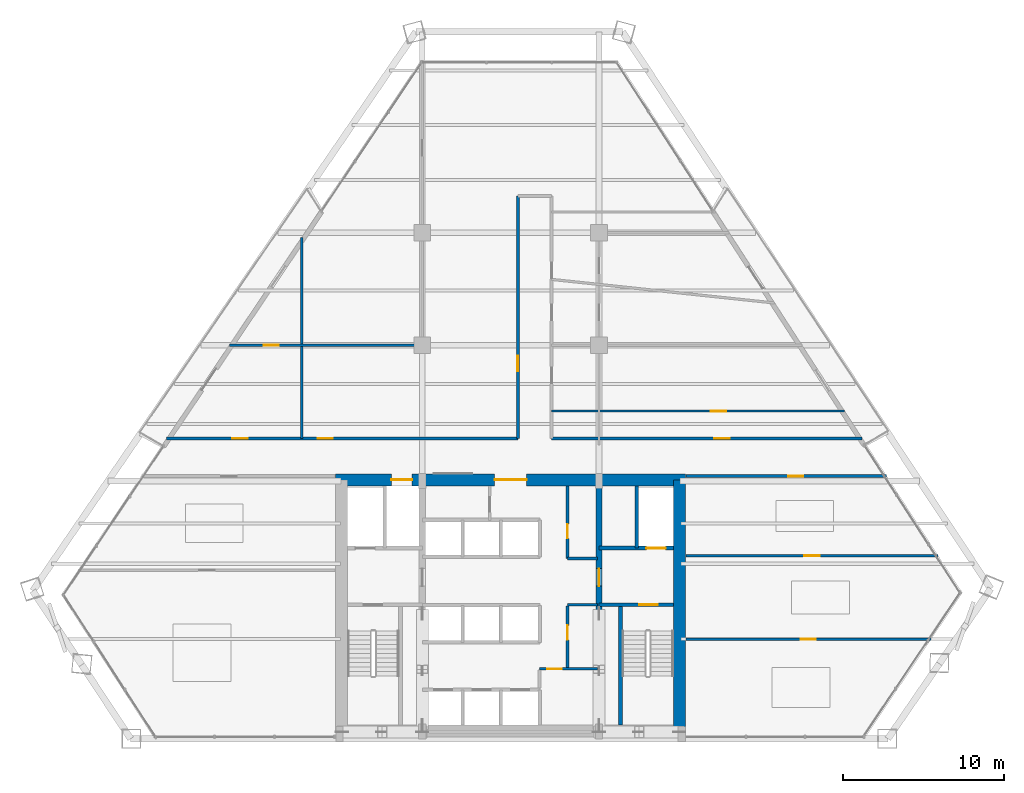
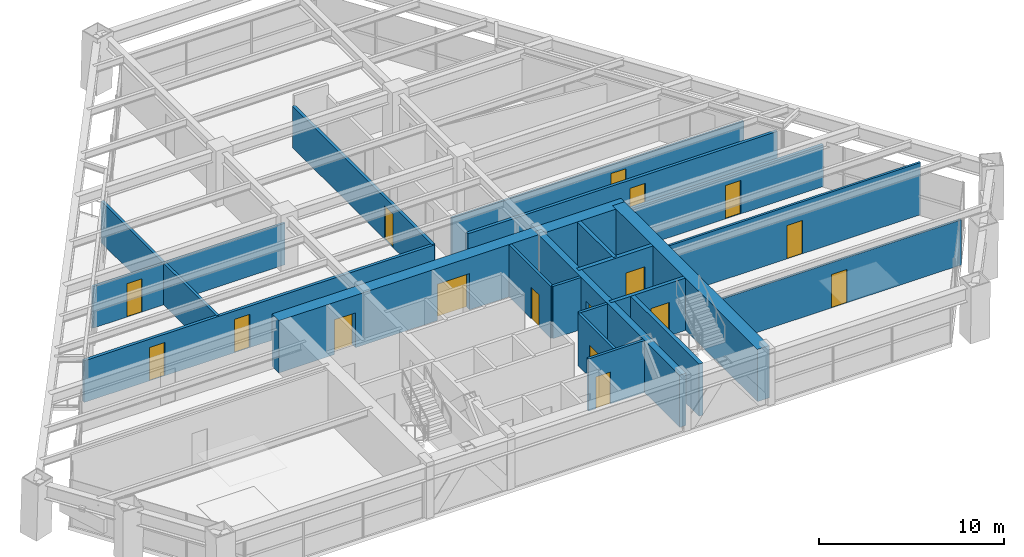
# One storey, part 11 of 14: 21 walls, 17 doors, 17 openings.
"""IFC4 building model written with IfcOpenShell, lengths in metres."""

from ifc_helpers import new_model, si_unit, direction, frame, frame_2d, origin, place, context, subcontext, project, spatial, rectangle, extrude, source, transform, mapped, material, layer, layer_set, type_object, type_shapes, element, fill, save


model = new_model("IFC4")

# Units and contexts
model_context = context("Model", 3, precision=1e-05, world=origin(), true_north=direction((0.0, 1.0)))
body_context = subcontext(model_context, "Body", "Model", "MODEL_VIEW")
ifc_project = project(units=[si_unit("LENGTHUNIT", "METRE"), si_unit("AREAUNIT", "SQUARE_METRE"), si_unit("VOLUMEUNIT", "CUBIC_METRE"), si_unit("PLANEANGLEUNIT", "RADIAN"), si_unit("MASSUNIT", "GRAM", prefix="KILO")], contexts=[model_context])

# Site, building, storey
site_placement = place(None, origin())
site = spatial("IfcSite", under=ifc_project, at=site_placement, CompositionType="ELEMENT")
building_placement = place(site_placement, origin())
building = spatial("IfcBuilding", under=site, at=building_placement, Name="Varnakhor Terracotta Tower", CompositionType="ELEMENT")
storey_placement = place(building_placement, frame((0.0, 0.0, 95.10009765625)))
storey = spatial("IfcBuildingStorey", under=building, at=storey_placement, Name="L23", CompositionType="ELEMENT", Elevation=95.10009765625)

# Wall, openings, doors
ifc_material_1 = material(Name="Concrete C60/75", Category="concrete")
ifc_layer_1 = layer(ifc_material_1, 0.75, Name="Concrete C60/75")
ifc_layer_set_1 = layer_set([ifc_layer_1], Name="Concrete C60/75")
wall_type_1 = type_object("IfcWallType", Name="WAL-CORE-750", PredefinedType="SHEAR", material=ifc_layer_set_1)
wall_1_placement = place(storey_placement, frame((-10.89990234375, 16.125, 0.0), z_axis=(0.0, 0.0, 1.0), x_axis=(1.0, 0.0, 0.0)))
wall_1 = element("IfcWall", 1, at=wall_1_placement, inside=storey, type_object=wall_type_1, Name="L23 North Core Shear Wall", PredefinedType="SHEAR", context=body_context, shape_type="SweptSolid", body=[
    extrude(rectangle(XDim=21.7998046875, YDim=0.75, at=frame_2d((10.89990234375, 0.0))), origin(), (0.0, 0.0, 1.0), 3.449951171875),
])
opening_1_placement = place(wall_1_placement, frame((3.469970703125, 0.0, 0.0)))
opening_1 = element("IfcOpeningElement", 2, at=opening_1_placement, cuts=wall_1, Name="Opening LD-03", PredefinedType="OPENING", context=body_context, shape_type="SweptSolid", body=[
    extrude(rectangle(XDim=1.300048828125, YDim=2.300048828125, at=frame_2d((0.64990234375, 1.14990234375))), frame((0.0, 0.385009765625, 0.0), z_axis=(0.0, -1.0, 0.0), x_axis=(1.0, 0.0, 0.0)), (0.0, 0.0, 1.0), 0.77001953125),
])
opening_2_placement = place(wall_1_placement, frame((9.89990234375, 0.0, 0.0)))
opening_2 = element("IfcOpeningElement", 3, at=opening_2_placement, cuts=wall_1, Name="Opening DR-32", PredefinedType="OPENING", context=body_context, shape_type="SweptSolid", body=[
    extrude(rectangle(XDim=2.0, YDim=2.39990234375, at=frame_2d((1.0, 1.199951171875))), frame((0.0, 0.385009765625, 0.0), z_axis=(0.0, -1.0, 0.0), x_axis=(1.0, 0.0, 0.0)), (0.0, 0.0, 1.0), 0.77001953125),
])
ifc_material_2 = material(Name="Heavy-Duty Goods Sliding Lift Landing Door", Category="steel")
door_type_1 = type_object("IfcDoorType", Name="LD-SRV-1300X2300", OperationType="NOTDEFINED", PredefinedType="DOOR", material=ifc_material_2)
shared_shape_1 = source(origin(), body_context, "Body", "SweptSolid", [
    extrude(rectangle(XDim=1.300048828125, YDim=2.300048828125, at=frame_2d((0.64990234375, 1.14990234375))), frame((0.0, 0.02490234375, 0.0), z_axis=(0.0, -1.0, 0.0), x_axis=(1.0, 0.0, 0.0)), (0.0, 0.0, 1.0), 0.050048828125),
])
type_shapes(door_type_1, [shared_shape_1])
door_1_placement = place(opening_1_placement, origin())
door_1 = element("IfcDoor", 4, at=door_1_placement, inside=storey, type_object=door_type_1, Name="L23 Service Lift SVL-1 Landing Door", OperationType="SLIDING_TO_RIGHT", OverallHeight=2.300048828125, OverallWidth=1.300048828125, PredefinedType="DOOR", context=body_context, shape_type="MappedRepresentation", body=[
    mapped(shared_shape_1, transform((0.0, 0.0, 0.0), scale=1.0)),
])
fill(opening_1, door_1)
ifc_material_3 = material(Name="Acoustic Double Assembly Fire Door", Category="wood")
door_type_2 = type_object("IfcDoorType", Name="DR-HALL-2000X2400", OperationType="NOTDEFINED", PredefinedType="DOOR", material=ifc_material_3)
shared_shape_2 = source(origin(), body_context, "Body", "SweptSolid", [
    extrude(rectangle(XDim=2.0, YDim=2.39990234375, at=frame_2d((1.0, 1.199951171875))), frame((0.0, 0.02490234375, 0.0), z_axis=(0.0, -1.0, 0.0), x_axis=(1.0, 0.0, 0.0)), (0.0, 0.0, 1.0), 0.050048828125),
])
type_shapes(door_type_2, [shared_shape_2])
door_2_placement = place(opening_2_placement, origin())
door_2 = element("IfcDoor", 5, at=door_2_placement, inside=storey, type_object=door_type_2, Name="L23 Core Main Lobby Double Door", OperationType="DOUBLE_DOOR_SINGLE_SWING", OverallHeight=2.39990234375, OverallWidth=2.0, PredefinedType="DOOR", context=body_context, shape_type="MappedRepresentation", body=[
    mapped(shared_shape_2, transform((0.0, 0.0, 0.0), scale=1.0)),
])
fill(opening_2, door_2)

# Wall
wall_2_placement = place(storey_placement, frame((10.52490234375, 0.47509765625, 0.0), z_axis=(0.0, 0.0, 1.0), x_axis=(0.0, 1.0, 0.0)))
element("IfcWall", 6, at=wall_2_placement, inside=storey, type_object=wall_type_1, Name="L23 East Core Shear Wall", PredefinedType="SHEAR", context=body_context, shape_type="SweptSolid", body=[
    extrude(rectangle(XDim=15.64990234375, YDim=0.75, at=frame_2d((7.824951171875, 0.0))), origin(), (0.0, 0.0, 1.0), 3.449951171875),
])

# Wall, opening, door
ifc_material_4 = material(Name="Concrete C50/60", Category="concrete")
ifc_layer_2 = layer(ifc_material_4, 0.39990234375, Name="Concrete C50/60")
ifc_layer_set_2 = layer_set([ifc_layer_2], Name="Concrete C50/60")
wall_type_2 = type_object("IfcWallType", Name="WAL-CORE-WEB-400", PredefinedType="SHEAR", material=ifc_layer_set_2)
wall_3_placement = place(storey_placement, frame((5.5, 0.47509765625, 0.0), z_axis=(0.0, 0.0, 1.0), x_axis=(0.0, 1.0, 0.0)))
wall_3 = element("IfcWall", 7, at=wall_3_placement, inside=storey, type_object=wall_type_2, Name="L23 East Core Web Shear Wall", PredefinedType="SHEAR", context=body_context, shape_type="SweptSolid", body=[
    extrude(rectangle(XDim=15.64990234375, YDim=0.39990234375, at=frame_2d((7.824951171875, 0.0))), origin(), (0.0, 0.0, 1.0), 3.449951171875),
])
opening_3_placement = place(wall_3_placement, frame((9.02490234375, 0.0, 0.0)))
opening_3 = element("IfcOpeningElement", 8, at=opening_3_placement, cuts=wall_3, Name="Opening DR-25", PredefinedType="OPENING", context=body_context, shape_type="SweptSolid", body=[
    extrude(rectangle(XDim=1.10009765625, YDim=2.199951171875, at=frame_2d((0.550048828125, 1.10009765625))), frame((0.0, 0.2099609375, 0.0), z_axis=(0.0, -1.0, 0.0), x_axis=(1.0, 0.0, 0.0)), (0.0, 0.0, 1.0), 0.419921875),
])
ifc_material_5 = material(Name="Firefighting Lobby Self-Closing Fire Door", Category="steel")
door_type_3 = type_object("IfcDoorType", Name="DR-FFL-1100X2200", OperationType="NOTDEFINED", PredefinedType="DOOR", material=ifc_material_5)
shared_shape_3 = source(origin(), body_context, "Body", "SweptSolid", [
    extrude(rectangle(XDim=1.10009765625, YDim=2.199951171875, at=frame_2d((0.550048828125, 1.10009765625))), frame((0.0, 0.02490234375, 0.0), z_axis=(0.0, -1.0, 0.0), x_axis=(1.0, 0.0, 0.0)), (0.0, 0.0, 1.0), 0.050048828125),
])
type_shapes(door_type_3, [shared_shape_3])
door_3_placement = place(opening_3_placement, origin())
door_3 = element("IfcDoor", 9, at=door_3_placement, inside=storey, type_object=door_type_3, Name="L23 East Firefighting Lobby Door", OperationType="SINGLE_SWING_LEFT", OverallHeight=2.199951171875, OverallWidth=1.10009765625, PredefinedType="DOOR", context=body_context, shape_type="MappedRepresentation", body=[
    mapped(shared_shape_3, transform((0.0, 0.0, 0.0), scale=1.0)),
])
fill(opening_3, door_3)

ifc_material_6 = material(Name="Fire-Rated Gypsum Stud Partition", Category="gypsum")
ifc_layer_3 = layer(ifc_material_6, 0.18505859375, Name="Fire-Rated Gypsum Stud Partition")
ifc_layer_set_3 = layer_set([ifc_layer_3], Name="Fire-Rated Gypsum Stud Partition")
wall_type_3 = type_object("IfcWallType", Name="WAL-CORR-185", PredefinedType="PARTITIONING", material=ifc_layer_set_3)
wall_4_placement = place(storey_placement, frame((10.919921875, 16.35009765625, 0.0), z_axis=(0.0, 0.0, 1.0), x_axis=(1.0, 0.0, 0.0)))
wall_4 = element("IfcWall", 10, at=wall_4_placement, inside=storey, type_object=wall_type_3, Name="L23 South East Corridor Wall", PredefinedType="PARTITIONING", context=body_context, shape_type="SweptSolid", body=[
    extrude(rectangle(XDim=12.4853515625, YDim=0.18505859375, at=frame_2d((6.24267578125, 0.0))), origin(), (0.0, 0.0, 1.0), 2.746826171875),
])
opening_4_placement = place(wall_4_placement, frame((6.35791015625, 0.0, 0.0)))
opening_4 = element("IfcOpeningElement", 11, at=opening_4_placement, cuts=wall_4, Name="Opening DR-94", PredefinedType="OPENING", context=body_context, shape_type="SweptSolid", body=[
    extrude(rectangle(XDim=0.949951171875, YDim=2.199951171875, at=frame_2d((0.47509765625, 1.10009765625))), frame((0.0, 0.1025390625, 0.0), z_axis=(0.0, -1.0, 0.0), x_axis=(1.0, 0.0, 0.0)), (0.0, 0.0, 1.0), 0.205078125),
])
ifc_material_7 = material(Name="Acoustic Glazed-Vision Timber Office Door", Category="wood")
door_type_4 = type_object("IfcDoorType", Name="DR-OFF-950X2200", OperationType="NOTDEFINED", PredefinedType="DOOR", material=ifc_material_7)
shared_shape_4 = source(origin(), body_context, "Body", "SweptSolid", [
    extrude(rectangle(XDim=0.949951171875, YDim=2.199951171875, at=frame_2d((0.47509765625, 1.10009765625))), frame((0.0, 0.02490234375, 0.0), z_axis=(0.0, -1.0, 0.0), x_axis=(1.0, 0.0, 0.0)), (0.0, 0.0, 1.0), 0.050048828125),
])
type_shapes(door_type_4, [shared_shape_4])
door_4_placement = place(opening_4_placement, origin())
door_4 = element("IfcDoor", 12, at=door_4_placement, inside=storey, type_object=door_type_4, Name="L23 SE Suite Door", OperationType="SINGLE_SWING_LEFT", OverallHeight=2.199951171875, OverallWidth=0.949951171875, PredefinedType="DOOR", context=body_context, shape_type="MappedRepresentation", body=[
    mapped(shared_shape_4, transform((0.0, 0.0, 0.0), scale=1.0)),
])
fill(opening_4, door_4)

# Wall, openings, doors
wall_5_placement = place(storey_placement, frame((-21.412109375, 18.699951171875, 0.0), z_axis=(0.0, 0.0, 1.0), x_axis=(1.0, 0.0, 0.0)))
wall_5 = element("IfcWall", 13, at=wall_5_placement, inside=storey, type_object=wall_type_3, Name="L23 Corridor North West Wall", PredefinedType="PARTITIONING", context=body_context, shape_type="SweptSolid", body=[
    extrude(rectangle(XDim=21.862060546875, YDim=0.18505859375, at=frame_2d((10.93115234375, 0.0))), origin(), (0.0, 0.0, 1.0), 2.746826171875),
])
opening_5_placement = place(wall_5_placement, frame((9.39697265625, 0.0, 0.0)))
opening_5 = element("IfcOpeningElement", 14, at=opening_5_placement, cuts=wall_5, Name="Opening DR-94", PredefinedType="OPENING", context=body_context, shape_type="SweptSolid", body=[
    extrude(rectangle(XDim=0.949951171875, YDim=2.199951171875, at=frame_2d((0.47509765625, 1.10009765625))), frame((0.0, 0.1025390625, 0.0), z_axis=(0.0, -1.0, 0.0), x_axis=(1.0, 0.0, 0.0)), (0.0, 0.0, 1.0), 0.205078125),
])
opening_6_placement = place(wall_5_placement, frame((4.08740234375, 0.0, 0.0)))
opening_6 = element("IfcOpeningElement", 15, at=opening_6_placement, cuts=wall_5, Name="Opening DR-94", PredefinedType="OPENING", context=body_context, shape_type="SweptSolid", body=[
    extrude(rectangle(XDim=0.949951171875, YDim=2.199951171875, at=frame_2d((0.47509765625, 1.10009765625))), frame((0.0, 0.1025390625, 0.0), z_axis=(0.0, -1.0, 0.0), x_axis=(1.0, 0.0, 0.0)), (0.0, 0.0, 1.0), 0.205078125),
])
door_5_placement = place(opening_5_placement, origin())
door_5 = element("IfcDoor", 16, at=door_5_placement, inside=storey, type_object=door_type_4, Name="L23 West Workplace Door", OperationType="SINGLE_SWING_RIGHT", OverallHeight=2.199951171875, OverallWidth=0.949951171875, PredefinedType="DOOR", context=body_context, shape_type="MappedRepresentation", body=[
    mapped(shared_shape_4, transform((0.0, 0.0, 0.0), scale=1.0)),
])
fill(opening_5, door_5)
door_6_placement = place(opening_6_placement, origin())
door_6 = element("IfcDoor", 17, at=door_6_placement, inside=storey, type_object=door_type_4, Name="L23 Corporate Anchor Suite West Door", OperationType="SINGLE_SWING_RIGHT", OverallHeight=2.199951171875, OverallWidth=0.949951171875, PredefinedType="DOOR", context=body_context, shape_type="MappedRepresentation", body=[
    mapped(shared_shape_4, transform((0.0, 0.0, 0.0), scale=1.0)),
])
fill(opening_6, door_6)

# Wall, opening, door
wall_6_placement = place(storey_placement, frame((2.550048828125, 18.699951171875, 0.0), z_axis=(0.0, 0.0, 1.0), x_axis=(1.0, 0.0, 0.0)))
wall_6 = element("IfcWall", 18, at=wall_6_placement, inside=storey, type_object=wall_type_3, Name="L23 Corridor North East Wall", PredefinedType="PARTITIONING", context=body_context, shape_type="SweptSolid", body=[
    extrude(rectangle(XDim=19.334228515625, YDim=0.18505859375, at=frame_2d((9.6669921875, 0.0))), origin(), (0.0, 0.0, 1.0), 2.746826171875),
])
opening_7_placement = place(wall_6_placement, frame((10.124755859375, 0.0, 0.0)))
opening_7 = element("IfcOpeningElement", 19, at=opening_7_placement, cuts=wall_6, Name="Opening DR-94", PredefinedType="OPENING", context=body_context, shape_type="SweptSolid", body=[
    extrude(rectangle(XDim=0.949951171875, YDim=2.199951171875, at=frame_2d((0.47509765625, 1.10009765625))), frame((0.0, 0.1025390625, 0.0), z_axis=(0.0, -1.0, 0.0), x_axis=(1.0, 0.0, 0.0)), (0.0, 0.0, 1.0), 0.205078125),
])
door_7_placement = place(opening_7_placement, origin())
door_7 = element("IfcDoor", 20, at=door_7_placement, inside=storey, type_object=door_type_4, Name="L23 East Workplace Door", OperationType="SINGLE_SWING_LEFT", OverallHeight=2.199951171875, OverallWidth=0.949951171875, PredefinedType="DOOR", context=body_context, shape_type="MappedRepresentation", body=[
    mapped(shared_shape_4, transform((0.0, 0.0, 0.0), scale=1.0)),
])
fill(opening_7, door_7)

wall_7_placement = place(storey_placement, frame((0.449951171875, 18.699951171875, 0.0), z_axis=(0.0, 0.0, 1.0), x_axis=(0.0, 1.0, 0.0)))
wall_7 = element("IfcWall", 21, at=wall_7_placement, inside=storey, type_object=wall_type_3, Name="L23 Spine West Wall", PredefinedType="PARTITIONING", context=body_context, shape_type="SweptSolid", body=[
    extrude(rectangle(XDim=15.10009765625, YDim=0.18505859375, at=frame_2d((7.550048828125, 0.0))), origin(), (0.0, 0.0, 1.0), 2.746826171875),
])
opening_8_placement = place(wall_7_placement, frame((4.19091796875, 0.0, 0.0)))
opening_8 = element("IfcOpeningElement", 22, at=opening_8_placement, cuts=wall_7, Name="Opening DR-94", PredefinedType="OPENING", context=body_context, shape_type="SweptSolid", body=[
    extrude(rectangle(XDim=0.949951171875, YDim=2.199951171875, at=frame_2d((0.47509765625, 1.10009765625))), frame((0.0, 0.1025390625, 0.0), z_axis=(0.0, -1.0, 0.0), x_axis=(1.0, 0.0, 0.0)), (0.0, 0.0, 1.0), 0.205078125),
])
door_8_placement = place(opening_8_placement, origin())
door_8 = element("IfcDoor", 23, at=door_8_placement, inside=storey, type_object=door_type_4, Name="L23 Spine West Door", OperationType="SINGLE_SWING_RIGHT", OverallHeight=2.199951171875, OverallWidth=0.949951171875, PredefinedType="DOOR", context=body_context, shape_type="MappedRepresentation", body=[
    mapped(shared_shape_4, transform((0.0, 0.0, 0.0), scale=1.0)),
])
fill(opening_8, door_8)

ifc_material_8 = material(Name="Concrete C40/50", Category="concrete")
ifc_layer_4 = layer(ifc_material_8, 0.219970703125, Name="Concrete C40/50")
ifc_layer_set_4 = layer_set([ifc_layer_4], Name="Concrete C40/50")
wall_type_4 = type_object("IfcWallType", Name="WAL-FFLOBBY-220", PredefinedType="SOLIDWALL", material=ifc_layer_set_4)
wall_8_placement = place(storey_placement, frame((10.14990234375, 8.35009765625, 0.0), z_axis=(0.0, 0.0, 1.0), x_axis=(-1.0, 0.0, 0.0)))
wall_8 = element("IfcWall", 24, at=wall_8_placement, inside=storey, type_object=wall_type_4, Name="L23 East Firefighting Lobby Stair Wall", PredefinedType="SOLIDWALL", context=body_context, shape_type="SweptSolid", body=[
    extrude(rectangle(XDim=4.64990234375, YDim=0.219970703125, at=frame_2d((2.324951171875, 0.0))), origin(), (0.0, 0.0, 1.0), 3.449951171875),
])
opening_9_placement = place(wall_8_placement, frame((1.0, 0.0, 0.0)))
opening_9 = element("IfcOpeningElement", 25, at=opening_9_placement, cuts=wall_8, Name="Opening DR-34", PredefinedType="OPENING", context=body_context, shape_type="SweptSolid", body=[
    extrude(rectangle(XDim=1.14990234375, YDim=2.199951171875, at=frame_2d((0.574951171875, 1.10009765625))), frame((0.0, 0.1201171875, 0.0), z_axis=(0.0, -1.0, 0.0), x_axis=(1.0, 0.0, 0.0)), (0.0, 0.0, 1.0), 0.239990234375),
])
ifc_material_9 = material(Name="Self-Closing Smoke-Sealed Steel Fire Door", Category="steel")
door_type_5 = type_object("IfcDoorType", Name="DR-STAIR-1150X2200", OperationType="NOTDEFINED", PredefinedType="DOOR", material=ifc_material_9)
shared_shape_5 = source(origin(), body_context, "Body", "SweptSolid", [
    extrude(rectangle(XDim=1.14990234375, YDim=2.199951171875, at=frame_2d((0.574951171875, 1.10009765625))), frame((0.0, 0.02490234375, 0.0), z_axis=(0.0, -1.0, 0.0), x_axis=(1.0, 0.0, 0.0)), (0.0, 0.0, 1.0), 0.050048828125),
])
type_shapes(door_type_5, [shared_shape_5])
door_9_placement = place(opening_9_placement, origin())
door_9 = element("IfcDoor", 26, at=door_9_placement, inside=storey, type_object=door_type_5, Name="L23 Exit Stair ST-2 Fire Door", OperationType="SINGLE_SWING_RIGHT", OverallHeight=2.199951171875, OverallWidth=1.14990234375, PredefinedType="DOOR", context=body_context, shape_type="MappedRepresentation", body=[
    mapped(shared_shape_5, transform((0.0, 0.0, 0.0), scale=1.0)),
])
fill(opening_9, door_9)

ifc_material_10 = material(Name="Acoustic Metal-Stud Partition", Category="gypsum")
ifc_layer_5 = layer(ifc_material_10, 0.139892578125, Name="Acoustic Metal-Stud Partition")
ifc_layer_set_5 = layer_set([ifc_layer_5], Name="Acoustic Metal-Stud Partition")
wall_type_5 = type_object("IfcWallType", Name="WAL-PART-140", PredefinedType="PARTITIONING", material=ifc_layer_set_5)
wall_9_placement = place(storey_placement, frame((-17.51171875, 24.5, 0.0), z_axis=(0.0, 0.0, 1.0), x_axis=(1.0, 0.0, 0.0)))
wall_9 = element("IfcWall", 27, at=wall_9_placement, inside=storey, type_object=wall_type_5, Name="L23 Mid West Column Wall", PredefinedType="PARTITIONING", context=body_context, shape_type="SweptSolid", body=[
    extrude(rectangle(XDim=12.01171875, YDim=0.139892578125, at=frame_2d((6.005859375, 0.0))), origin(), (0.0, 0.0, 1.0), 2.746826171875),
])
opening_10_placement = place(wall_9_placement, frame((2.12890625, 0.0, 0.0)))
opening_10 = element("IfcOpeningElement", 28, at=opening_10_placement, cuts=wall_9, Name="Opening DR-94", PredefinedType="OPENING", context=body_context, shape_type="SweptSolid", body=[
    extrude(rectangle(XDim=0.949951171875, YDim=2.199951171875, at=frame_2d((0.47509765625, 1.10009765625))), frame((0.0, 0.080078125, 0.0), z_axis=(0.0, -1.0, 0.0), x_axis=(1.0, 0.0, 0.0)), (0.0, 0.0, 1.0), 0.159912109375),
])
door_10_placement = place(opening_10_placement, origin())
door_10 = element("IfcDoor", 29, at=door_10_placement, inside=storey, type_object=door_type_4, Name="L23 Advisory Office E3 Door", OperationType="SINGLE_SWING_RIGHT", OverallHeight=2.199951171875, OverallWidth=0.949951171875, PredefinedType="DOOR", context=body_context, shape_type="MappedRepresentation", body=[
    mapped(shared_shape_4, transform((0.0, 0.0, 0.0), scale=1.0)),
])
fill(opening_10, door_10)

wall_10_placement = place(storey_placement, frame((2.550048828125, 20.39990234375, 0.0), z_axis=(0.0, 0.0, 1.0), x_axis=(1.0, 0.0, 0.0)))
wall_10 = element("IfcWall", 30, at=wall_10_placement, inside=storey, type_object=wall_type_5, Name="L23 East Wing Cut 1", PredefinedType="PARTITIONING", context=body_context, shape_type="SweptSolid", body=[
    extrude(rectangle(XDim=18.233642578125, YDim=0.139892578125, at=frame_2d((9.11669921875, 0.0))), origin(), (0.0, 0.0, 1.0), 2.746826171875),
])
opening_11_placement = place(wall_10_placement, frame((9.919921875, 0.0, 0.0)))
opening_11 = element("IfcOpeningElement", 31, at=opening_11_placement, cuts=wall_10, Name="Opening DR-94", PredefinedType="OPENING", context=body_context, shape_type="SweptSolid", body=[
    extrude(rectangle(XDim=0.949951171875, YDim=2.199951171875, at=frame_2d((0.47509765625, 1.10009765625))), frame((0.0, 0.080078125, 0.0), z_axis=(0.0, -1.0, 0.0), x_axis=(1.0, 0.0, 0.0)), (0.0, 0.0, 1.0), 0.159912109375),
])
door_11_placement = place(opening_11_placement, origin())
door_11 = element("IfcDoor", 32, at=door_11_placement, inside=storey, type_object=door_type_4, Name="L23 Advisory Office E1 B9 Door", OperationType="SINGLE_SWING_LEFT", OverallHeight=2.199951171875, OverallWidth=0.949951171875, PredefinedType="DOOR", context=body_context, shape_type="MappedRepresentation", body=[
    mapped(shared_shape_4, transform((0.0, 0.0, 0.0), scale=1.0)),
])
fill(opening_11, door_11)

wall_11_placement = place(storey_placement, frame((10.919921875, 6.199951171875, 0.0), z_axis=(0.0, 0.0, 1.0), x_axis=(1.0, 0.0, 0.0)))
wall_11 = element("IfcWall", 33, at=wall_11_placement, inside=storey, type_object=wall_type_5, Name="L23 South East Cut 1", PredefinedType="PARTITIONING", context=body_context, shape_type="SweptSolid", body=[
    extrude(rectangle(XDim=15.25048828125, YDim=0.139892578125, at=frame_2d((7.625244140625, 0.0))), origin(), (0.0, 0.0, 1.0), 2.97900390625),
])
opening_12_placement = place(wall_11_placement, frame((7.13818359375, 0.0, 0.0)))
opening_12 = element("IfcOpeningElement", 34, at=opening_12_placement, cuts=wall_11, Name="Opening DR-94", PredefinedType="OPENING", context=body_context, shape_type="SweptSolid", body=[
    extrude(rectangle(XDim=0.949951171875, YDim=2.199951171875, at=frame_2d((0.47509765625, 1.10009765625))), frame((0.0, 0.080078125, 0.0), z_axis=(0.0, -1.0, 0.0), x_axis=(1.0, 0.0, 0.0)), (0.0, 0.0, 1.0), 0.159912109375),
])
door_12_placement = place(opening_12_placement, origin())
door_12 = element("IfcDoor", 35, at=door_12_placement, inside=storey, type_object=door_type_4, Name="L23 South East Conference Room Door", OperationType="SINGLE_SWING_RIGHT", OverallHeight=2.199951171875, OverallWidth=0.949951171875, PredefinedType="DOOR", context=body_context, shape_type="MappedRepresentation", body=[
    mapped(shared_shape_4, transform((0.0, 0.0, 0.0), scale=1.0)),
])
fill(opening_12, door_12)

wall_12_placement = place(storey_placement, frame((10.919921875, 11.39990234375, 0.0), z_axis=(0.0, 0.0, 1.0), x_axis=(1.0, 0.0, 0.0)))
wall_12 = element("IfcWall", 36, at=wall_12_placement, inside=storey, type_object=wall_type_5, Name="L23 South East Cut 2", PredefinedType="PARTITIONING", context=body_context, shape_type="SweptSolid", body=[
    extrude(rectangle(XDim=15.689453125, YDim=0.139892578125, at=frame_2d((7.8447265625, 0.0))), origin(), (0.0, 0.0, 1.0), 3.44189453125),
])
opening_13_placement = place(wall_12_placement, frame((7.360595703125, 0.0, 0.0)))
opening_13 = element("IfcOpeningElement", 37, at=opening_13_placement, cuts=wall_12, Name="Opening DR-94", PredefinedType="OPENING", context=body_context, shape_type="SweptSolid", body=[
    extrude(rectangle(XDim=0.949951171875, YDim=2.199951171875, at=frame_2d((0.47509765625, 1.10009765625))), frame((0.0, 0.080078125, 0.0), z_axis=(0.0, -1.0, 0.0), x_axis=(1.0, 0.0, 0.0)), (0.0, 0.0, 1.0), 0.159912109375),
])
door_13_placement = place(opening_13_placement, origin())
door_13 = element("IfcDoor", 38, at=door_13_placement, inside=storey, type_object=door_type_4, Name="L23 Advisory Office E3 B3 Door", OperationType="SINGLE_SWING_LEFT", OverallHeight=2.199951171875, OverallWidth=0.949951171875, PredefinedType="DOOR", context=body_context, shape_type="MappedRepresentation", body=[
    mapped(shared_shape_4, transform((0.0, 0.0, 0.0), scale=1.0)),
])
fill(opening_13, door_13)

# Walls
ifc_layer_6 = layer(ifc_material_8, 0.219970703125, Name="Concrete C40/50")
ifc_layer_set_6 = layer_set([ifc_layer_6], Name="Concrete C40/50")
wall_type_6 = type_object("IfcWallType", Name="WAL-SHAFT-220", PredefinedType="SOLIDWALL", material=ifc_layer_set_6)
wall_13_placement = place(storey_placement, frame((7.840087890625, 11.8701171875, 0.0), z_axis=(0.0, 0.0, 1.0), x_axis=(0.0, 1.0, 0.0)))
element("IfcWall", 39, at=wall_13_placement, inside=storey, type_object=wall_type_6, Name="L23 Lift FFL-2 and Riser Divider Wall", PredefinedType="SOLIDWALL", context=body_context, shape_type="SweptSolid", body=[
    extrude(rectangle(XDim=3.8798828125, YDim=0.219970703125, at=frame_2d((1.93994140625, 0.0))), origin(), (0.0, 0.0, 1.0), 3.449951171875),
])
ifc_layer_7 = layer(ifc_material_8, 0.25, Name="Concrete C40/50")
ifc_layer_set_7 = layer_set([ifc_layer_7], Name="Concrete C40/50")
wall_type_7 = type_object("IfcWallType", Name="WAL-SHAFT-250", PredefinedType="SOLIDWALL", material=ifc_layer_set_7)
wall_14_placement = place(storey_placement, frame((6.85009765625, 0.85009765625, 0.0), z_axis=(0.0, 0.0, 1.0), x_axis=(0.0, 1.0, 0.0)))
element("IfcWall", 40, at=wall_14_placement, inside=storey, type_object=wall_type_7, Name="L23 Stair ST-2 Bearing Shaft Wall", PredefinedType="SOLIDWALL", context=body_context, shape_type="SweptSolid", body=[
    extrude(rectangle(XDim=7.5, YDim=0.25, at=frame_2d((3.75, 0.0))), origin(), (0.0, 0.0, 1.0), 3.449951171875),
])

# Wall, opening, door
wall_15_placement = place(storey_placement, frame((10.14990234375, 11.8701171875, 0.0), z_axis=(0.0, 0.0, 1.0), x_axis=(-1.0, 0.0, 0.0)))
wall_15 = element("IfcWall", 41, at=wall_15_placement, inside=storey, type_object=wall_type_7, Name="L23 Lift FFL-2 Shaft Front Wall", PredefinedType="SOLIDWALL", context=body_context, shape_type="SweptSolid", body=[
    extrude(rectangle(XDim=4.64990234375, YDim=0.25, at=frame_2d((2.324951171875, 0.0))), origin(), (0.0, 0.0, 1.0), 3.449951171875),
])
opening_14_placement = place(wall_15_placement, frame((0.5, 0.0, 0.0)))
opening_14 = element("IfcOpeningElement", 42, at=opening_14_placement, cuts=wall_15, Name="Opening LD-02", PredefinedType="OPENING", context=body_context, shape_type="SweptSolid", body=[
    extrude(rectangle(XDim=1.199951171875, YDim=2.25, at=frame_2d((0.60009765625, 1.125))), frame((0.0, 0.135009765625, 0.0), z_axis=(0.0, -1.0, 0.0), x_axis=(1.0, 0.0, 0.0)), (0.0, 0.0, 1.0), 0.27001953125),
])
ifc_material_11 = material(Name="Firefighting Stretcher Sliding Lift Landing Door", Category="steel")
door_type_6 = type_object("IfcDoorType", Name="LD-FFL-1200X2250", OperationType="NOTDEFINED", PredefinedType="DOOR", material=ifc_material_11)
shared_shape_6 = source(origin(), body_context, "Body", "SweptSolid", [
    extrude(rectangle(XDim=1.199951171875, YDim=2.25, at=frame_2d((0.60009765625, 1.125))), frame((0.0, 0.02490234375, 0.0), z_axis=(0.0, -1.0, 0.0), x_axis=(1.0, 0.0, 0.0)), (0.0, 0.0, 1.0), 0.050048828125),
])
type_shapes(door_type_6, [shared_shape_6])
door_14_placement = place(opening_14_placement, origin())
door_14 = element("IfcDoor", 43, at=door_14_placement, inside=storey, type_object=door_type_6, Name="L23 Firefighting Lift FFL-2 Landing Door", OperationType="SLIDING_TO_RIGHT", OverallHeight=2.25, OverallWidth=1.199951171875, PredefinedType="DOOR", context=body_context, shape_type="MappedRepresentation", body=[
    mapped(shared_shape_6, transform((0.0, 0.0, 0.0), scale=1.0)),
])
fill(opening_14, door_14)

ifc_material_12 = material(Name="Acoustic Fire-Rated Partition", Category="gypsum")
ifc_layer_8 = layer(ifc_material_12, 0.1650390625, Name="Acoustic Fire-Rated Partition")
ifc_layer_set_8 = layer_set([ifc_layer_8], Name="Acoustic Fire-Rated Partition")
wall_type_8 = type_object("IfcWallType", Name="WAL-TENANCY-165", PredefinedType="PARTITIONING", material=ifc_layer_set_8)
wall_16_placement = place(storey_placement, frame((3.5400390625, 4.4326171875, 0.0), z_axis=(0.0, 0.0, 1.0), x_axis=(0.0, 1.0, 0.0)))
wall_16 = element("IfcWall", 44, at=wall_16_placement, inside=storey, type_object=wall_type_8, Name="L23 Core Service Rated Wall", PredefinedType="PARTITIONING", context=body_context, shape_type="SweptSolid", body=[
    extrude(rectangle(XDim=3.824951171875, YDim=0.1650390625, at=frame_2d((1.91259765625, 0.0))), origin(), (0.0, 0.0, 1.0), 3.44189453125),
])
opening_15_placement = place(wall_16_placement, frame((1.72119140625, 0.0, 0.0)))
opening_15 = element("IfcOpeningElement", 45, at=opening_15_placement, cuts=wall_16, Name="Opening DR-67", PredefinedType="OPENING", context=body_context, shape_type="SweptSolid", body=[
    extrude(rectangle(XDim=0.89990234375, YDim=2.10009765625, at=frame_2d((0.449951171875, 1.050048828125))), frame((0.0, 0.092529296875, 0.0), z_axis=(0.0, -1.0, 0.0), x_axis=(1.0, 0.0, 0.0)), (0.0, 0.0, 1.0), 0.18505859375),
])
ifc_material_13 = material(Name="Steel Service Riser Fire Door", Category="steel")
door_type_7 = type_object("IfcDoorType", Name="DR-RISER-900X2100", OperationType="NOTDEFINED", PredefinedType="DOOR", material=ifc_material_13)
shared_shape_7 = source(origin(), body_context, "Body", "SweptSolid", [
    extrude(rectangle(XDim=0.89990234375, YDim=2.10009765625, at=frame_2d((0.449951171875, 1.050048828125))), frame((0.0, 0.02490234375, 0.0), z_axis=(0.0, -1.0, 0.0), x_axis=(1.0, 0.0, 0.0)), (0.0, 0.0, 1.0), 0.050048828125),
])
type_shapes(door_type_7, [shared_shape_7])
door_15_placement = place(opening_15_placement, origin())
door_15 = element("IfcDoor", 46, at=door_15_placement, inside=storey, type_object=door_type_7, Name="L23 Core Accessible WC Door", OperationType="SINGLE_SWING_LEFT", OverallHeight=2.10009765625, OverallWidth=0.89990234375, PredefinedType="DOOR", context=body_context, shape_type="MappedRepresentation", body=[
    mapped(shared_shape_7, transform((0.0, 0.0, 0.0), scale=1.0)),
])
fill(opening_15, door_15)

# Wall
wall_17_placement = place(storey_placement, frame((3.5400390625, 8.340087890625, 0.0), z_axis=(0.0, 0.0, 1.0), x_axis=(1.0, 0.0, 0.0)))
element("IfcWall", 47, at=wall_17_placement, inside=storey, type_object=wall_type_8, Name="L23 Accessible WC North Wall", PredefinedType="PARTITIONING", context=body_context, shape_type="SweptSolid", body=[
    extrude(rectangle(XDim=1.8798828125, YDim=0.1650390625, at=frame_2d((0.93994140625, 0.0))), origin(), (0.0, 0.0, 1.0), 3.44189453125),
])

# Wall, opening, door
wall_18_placement = place(storey_placement, frame((1.800048828125, 4.35009765625, 0.0), z_axis=(0.0, 0.0, 1.0), x_axis=(1.0, 0.0, 0.0)))
wall_18 = element("IfcWall", 48, at=wall_18_placement, inside=storey, type_object=wall_type_8, Name="L23 Core South Service Rated Wall", PredefinedType="PARTITIONING", context=body_context, shape_type="SweptSolid", body=[
    extrude(rectangle(XDim=3.619873046875, YDim=0.1650390625, at=frame_2d((1.81005859375, 0.0))), origin(), (0.0, 0.0, 1.0), 3.44189453125),
])
opening_16_placement = place(wall_18_placement, frame((0.47998046875, 0.0, 0.0)))
opening_16 = element("IfcOpeningElement", 49, at=opening_16_placement, cuts=wall_18, Name="Opening DR-67", PredefinedType="OPENING", context=body_context, shape_type="SweptSolid", body=[
    extrude(rectangle(XDim=0.89990234375, YDim=2.10009765625, at=frame_2d((0.449951171875, 1.050048828125))), frame((0.0, 0.092529296875, 0.0), z_axis=(0.0, -1.0, 0.0), x_axis=(1.0, 0.0, 0.0)), (0.0, 0.0, 1.0), 0.18505859375),
])
door_16_placement = place(opening_16_placement, origin())
door_16 = element("IfcDoor", 50, at=door_16_placement, inside=storey, type_object=door_type_7, Name="L23 Core IT Room Door", OperationType="SINGLE_SWING_RIGHT", OverallHeight=2.10009765625, OverallWidth=0.89990234375, PredefinedType="DOOR", context=body_context, shape_type="MappedRepresentation", body=[
    mapped(shared_shape_7, transform((0.0, 0.0, 0.0), scale=1.0)),
])
fill(opening_16, door_16)

wall_19_placement = place(storey_placement, frame((3.5400390625, 11.219970703125, 0.0), z_axis=(0.0, 0.0, 1.0), x_axis=(0.0, 1.0, 0.0)))
wall_19 = element("IfcWall", 51, at=wall_19_placement, inside=storey, type_object=wall_type_8, Name="L23 Restroom Corridor Wall", PredefinedType="PARTITIONING", context=body_context, shape_type="SweptSolid", body=[
    extrude(rectangle(XDim=4.530029296875, YDim=0.1650390625, at=frame_2d((2.26513671875, 0.0))), origin(), (0.0, 0.0, 1.0), 3.44189453125),
])
opening_17_placement = place(wall_19_placement, frame((1.25, 0.0, 0.0)))
opening_17 = element("IfcOpeningElement", 52, at=opening_17_placement, cuts=wall_19, Name="Opening DR-67", PredefinedType="OPENING", context=body_context, shape_type="SweptSolid", body=[
    extrude(rectangle(XDim=0.89990234375, YDim=2.10009765625, at=frame_2d((0.449951171875, 1.050048828125))), frame((0.0, 0.092529296875, 0.0), z_axis=(0.0, -1.0, 0.0), x_axis=(1.0, 0.0, 0.0)), (0.0, 0.0, 1.0), 0.18505859375),
])
door_17_placement = place(opening_17_placement, origin())
door_17 = element("IfcDoor", 53, at=door_17_placement, inside=storey, type_object=door_type_7, Name="L23 Female WC Door", OperationType="SINGLE_SWING_LEFT", OverallHeight=2.10009765625, OverallWidth=0.89990234375, PredefinedType="DOOR", context=body_context, shape_type="MappedRepresentation", body=[
    mapped(shared_shape_7, transform((0.0, 0.0, 0.0), scale=1.0)),
])
fill(opening_17, door_17)

# Walls
wall_20_placement = place(storey_placement, frame((3.5400390625, 11.219970703125, 0.0), z_axis=(0.0, 0.0, 1.0), x_axis=(1.0, 0.0, 0.0)))
element("IfcWall", 54, at=wall_20_placement, inside=storey, type_object=wall_type_8, Name="L23 Restroom South Wall", PredefinedType="PARTITIONING", context=body_context, shape_type="SweptSolid", body=[
    extrude(rectangle(XDim=1.8798828125, YDim=0.1650390625, at=frame_2d((0.93994140625, 0.0))), origin(), (0.0, 0.0, 1.0), 3.44189453125),
])
wall_21_placement = place(storey_placement, frame((-13.0, 18.699951171875, 0.0), z_axis=(0.0, 0.0, 1.0), x_axis=(0.0, 1.0, 0.0)))
element("IfcWall", 55, at=wall_21_placement, inside=storey, type_object=wall_type_8, Name="L23 West Cellular Line", PredefinedType="PARTITIONING", context=body_context, shape_type="SweptSolid", body=[
    extrude(rectangle(XDim=12.508544921875, YDim=0.1650390625, at=frame_2d((6.25439453125, 0.0))), origin(), (0.0, 0.0, 1.0), 2.746826171875),
])

save(model, "model.ifc")
